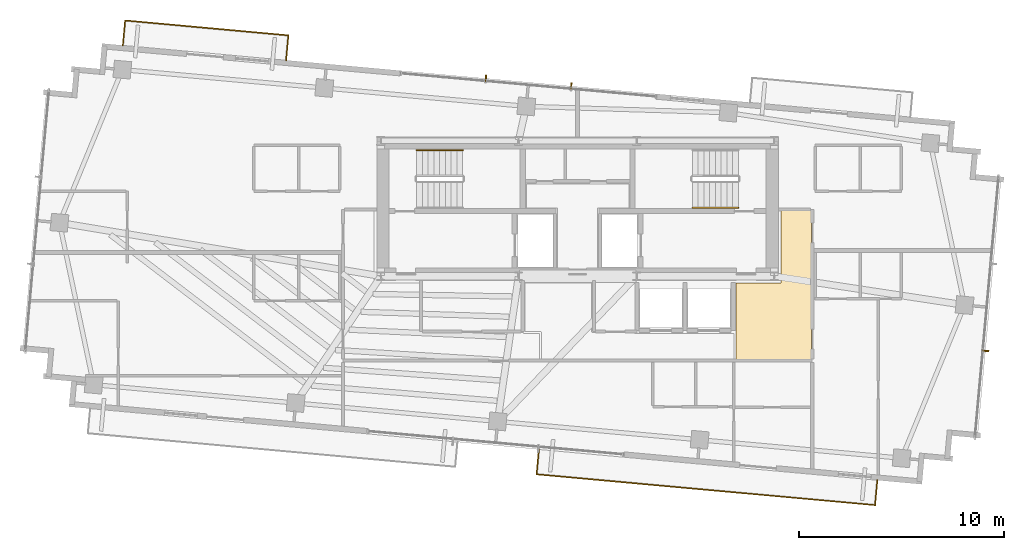
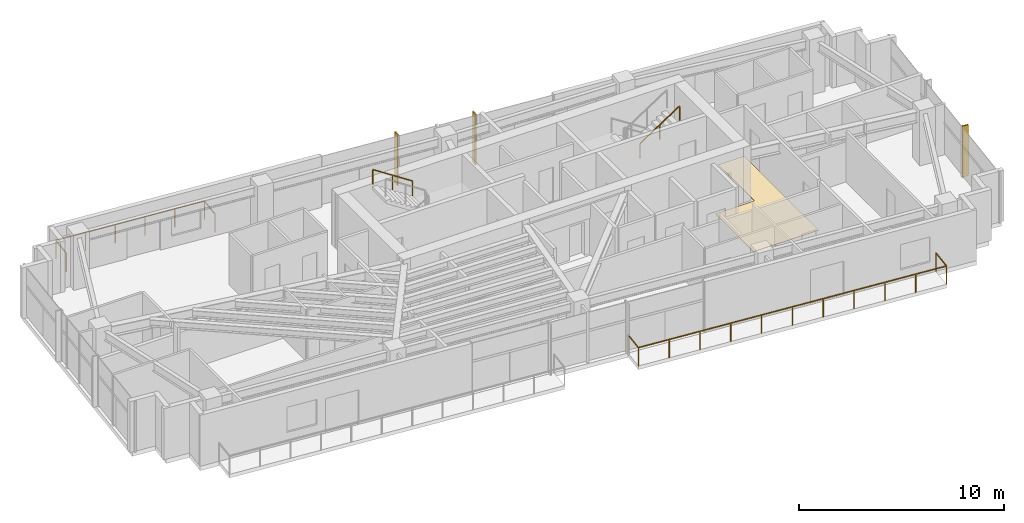
# One storey, part 21 of 22: 4 railings, 3 shading devices, 1 covering.
"""IFC4 building model written with IfcOpenShell, lengths in metres."""

from ifc_helpers import new_model, si_unit, direction, frame, origin, origin_2d, place, context, subcontext, project, spatial, polyline, rectangle, outline, extrude, source, transform, mapped, material, layer, layer_set, type_object, type_shapes, element, save


model = new_model("IFC4")

# Units and contexts
model_context = context("Model", 3, precision=1e-05, world=origin(), true_north=direction((0.0, 1.0)))
body_context = subcontext(model_context, "Body", "Model", "MODEL_VIEW")
ifc_project = project(units=[si_unit("LENGTHUNIT", "METRE"), si_unit("AREAUNIT", "SQUARE_METRE"), si_unit("VOLUMEUNIT", "CUBIC_METRE"), si_unit("PLANEANGLEUNIT", "RADIAN"), si_unit("MASSUNIT", "GRAM", prefix="KILO")], contexts=[model_context])

# Site, building, storey
site_placement = place(None, origin())
site = spatial("IfcSite", under=ifc_project, at=site_placement, CompositionType="ELEMENT")
building_placement = place(site_placement, origin())
building = spatial("IfcBuilding", under=site, at=building_placement, Name="Astriad Promenade Condominiums", CompositionType="ELEMENT")
storey_placement = place(building_placement, frame((0.0, 0.0, 249.60009765625)))
storey = spatial("IfcBuildingStorey", under=building, at=storey_placement, Name="L72", CompositionType="ELEMENT", Elevation=249.60009765625)

# Covering
ifc_material_1 = material(Name="Polished Lakefront Terrazzo Flooring")
ifc_layer = layer(ifc_material_1, 0.02001953125)
ifc_layer_set = layer_set([ifc_layer], Name="Polished Lakefront Terrazzo Flooring")
covering_type = type_object("IfcCoveringType", Name="COV-FLOR-TERRAZZO-20", PredefinedType="FLOORING", material=ifc_layer_set)
covering_placement = place(storey_placement, origin())
element("IfcCovering", 1, at=covering_placement, inside=storey, type_object=covering_type, Name="FLR-L72-COR-2", PredefinedType="FLOORING", context=body_context, shape_type="SweptSolid", body=[
    extrude(outline(polyline([(43.72998046875, 14.62353515625), (43.73095703125, 14.62451171875), (43.7333984375, 14.627685546875), (43.7353515625, 14.631103515625), (43.737060546875, 14.634765625), (43.73828125, 14.638427734375), (43.7392578125, 14.64208984375), (43.73974609375, 14.64599609375), (43.739990234375, 14.64990234375), (43.739990234375, 17.06005859375), (45.89990234375, 17.06005859375), (45.90380859375, 17.060302734375), (45.90771484375, 17.060791015625), (45.91162109375, 17.061767578125), (45.915283203125, 17.06298828125), (45.9189453125, 17.064697265625), (45.922119140625, 17.066650390625), (45.92529296875, 17.069091796875), (45.92822265625, 17.07177734375), (45.930908203125, 17.07470703125), (45.933349609375, 17.077880859375), (45.935302734375, 17.0810546875), (45.93701171875, 17.084716796875), (45.938232421875, 17.08837890625), (45.939208984375, 17.09228515625), (45.939697265625, 17.09619140625), (45.93994140625, 17.10009765625), (45.93994140625, 20.610107421875), (47.409912109375, 20.610107421875), (47.409912109375, 13.320068359375), (43.72998046875, 13.320068359375), (43.72998046875, 14.62353515625)])), origin(), (0.0, 0.0, 1.0), 0.02001953125),
])

# Shading devices
ifc_material_2 = material(Name="Anodised aluminium 6063-T6 Black Fin", Category="aluminium")
shading_device_type = type_object("IfcShadingDeviceType", Name="FIN-BLACK-260", PredefinedType="USERDEFINED", material=ifc_material_2)
shared_shape_1 = source(origin(), body_context, "Body", "SweptSolid", [
    extrude(rectangle(XDim=0.06494140625, YDim=0.320068359375, at=origin_2d()), origin(), (0.0, 0.0, 1.0), 3.0400390625),
])
type_shapes(shading_device_type, [shared_shape_1])
for number, where, z_axis, x_axis, name in (
    (2, (31.526123046875, 27.062744140625, 0.0), (0.0, 0.0, 1.0), (0.995884398616, -0.090632580198, 0.0), "CW-L72-N-FIN-01"),
    (3, (35.68896484375, 26.683837890625, 0.0), (0.0, 0.0, 1.0), (0.995884398616, -0.090632580198, 0.0), "CW-L72-N-FIN-02"),
    (4, (55.920166015625, 13.753662109375, 0.0), (0.0, 0.0, 1.0), (-0.090632580198, -0.995884398616, 0.0), "CW-L72-E-FIN-02"),
):
    element("IfcShadingDevice", number, at=place(storey_placement, frame(where, z_axis=z_axis, x_axis=x_axis)), inside=storey, type_object=shading_device_type, Name=name, ObjectType="FIN", PredefinedType="USERDEFINED", context=body_context, shape_type="MappedRepresentation", body=[
        mapped(shared_shape_1, transform((0.0, 0.0, 0.0), scale=1.0)),
    ])

# Railings
ifc_material_3 = material(Name="Laminated Glass and Stainless Steel Balustrade", Category="steel")
railing_type_1 = type_object("IfcRailingType", Name="GRD-BALC-1120", PredefinedType="BALUSTRADE", material=ifc_material_3)
shared_shape_2 = source(origin(), body_context, "Body", "SweptSolid", [
    extrude(rectangle(XDim=0.048095703125, YDim=0.048095703125, at=origin_2d()), frame((0.0, 0.0, 1.09619140625), z_axis=(-0.090643994769, -0.995883359743, 0.0), x_axis=(0.995883359743, -0.090643994769, 0.0)), (0.0, 0.0, 1.0), 1.22021484375),
    extrude(rectangle(XDim=0.048095703125, YDim=0.048095703125, at=origin_2d()), frame((-0.110595703125, -1.215087890625, 1.09619140625), z_axis=(0.995885240014, -0.09062333431, 0.0), x_axis=(0.09062333431, 0.995885240014, 0.0)), (0.0, 0.0, 1.0), 16.587158203125),
    extrude(rectangle(XDim=0.048095703125, YDim=0.048095703125, at=origin_2d()), frame((16.408203125, -2.71826171875, 1.09619140625), z_axis=(0.09066206129, 0.995881715186, 0.0), x_axis=(-0.995881715186, 0.09066206129, 0.0)), (0.0, 0.0, 1.0), 1.219970703125),
    extrude(rectangle(XDim=0.0419921875, YDim=0.0419921875, at=origin_2d()), origin(), (0.0, 0.0, 1.0), 1.072021484375),
    extrude(rectangle(XDim=0.0419921875, YDim=0.0419921875, at=origin_2d()), frame((-0.110595703125, -1.215087890625, 0.0)), (0.0, 0.0, 1.0), 1.072021484375),
    extrude(rectangle(XDim=0.0419921875, YDim=0.0419921875, at=origin_2d()), frame((1.541259765625, -1.365478515625, 0.0)), (0.0, 0.0, 1.0), 1.072021484375),
    extrude(rectangle(XDim=0.0419921875, YDim=0.0419921875, at=origin_2d()), frame((3.193115234375, -1.515625, 0.0)), (0.0, 0.0, 1.0), 1.072021484375),
    extrude(rectangle(XDim=0.0419921875, YDim=0.0419921875, at=origin_2d()), frame((4.844970703125, -1.666015625, 0.0)), (0.0, 0.0, 1.0), 1.072021484375),
    extrude(rectangle(XDim=0.0419921875, YDim=0.0419921875, at=origin_2d()), frame((6.496826171875, -1.81640625, 0.0)), (0.0, 0.0, 1.0), 1.072021484375),
    extrude(rectangle(XDim=0.0419921875, YDim=0.0419921875, at=origin_2d()), frame((8.14892578125, -1.966796875, 0.0)), (0.0, 0.0, 1.0), 1.072021484375),
    extrude(rectangle(XDim=0.0419921875, YDim=0.0419921875, at=origin_2d()), frame((9.80078125, -2.116943359375, 0.0)), (0.0, 0.0, 1.0), 1.072021484375),
    extrude(rectangle(XDim=0.0419921875, YDim=0.0419921875, at=origin_2d()), frame((11.45263671875, -2.267333984375, 0.0)), (0.0, 0.0, 1.0), 1.072021484375),
    extrude(rectangle(XDim=0.0419921875, YDim=0.0419921875, at=origin_2d()), frame((13.1044921875, -2.417724609375, 0.0)), (0.0, 0.0, 1.0), 1.072021484375),
    extrude(rectangle(XDim=0.0419921875, YDim=0.0419921875, at=origin_2d()), frame((14.75634765625, -2.56787109375, 0.0)), (0.0, 0.0, 1.0), 1.072021484375),
    extrude(rectangle(XDim=0.0419921875, YDim=0.0419921875, at=origin_2d()), frame((16.408203125, -2.71826171875, 0.0)), (0.0, 0.0, 1.0), 1.072021484375),
    extrude(rectangle(XDim=0.0419921875, YDim=0.0419921875, at=origin_2d()), frame((16.518798828125, -1.50341796875, 0.0)), (0.0, 0.0, 1.0), 1.072021484375),
])
railing_1_placement = place(storey_placement, frame((34.112548828125, 8.94384765625, 0.0)))
element("IfcRailing", 5, at=railing_1_placement, inside=storey, type_object=railing_type_1, Name="GRD-BALC-L72-SE", PredefinedType="BALUSTRADE", context=body_context, shape_type="MappedRepresentation", body=[
    mapped(shared_shape_2, transform((0.0, 0.0, 0.0), scale=1.0)),
])
shared_shape_3 = source(origin(), body_context, "Body", "SweptSolid", [
    extrude(rectangle(XDim=0.048095703125, YDim=0.048095703125, at=origin_2d()), frame((0.0, 0.0, 1.09619140625), z_axis=(0.09066206129, 0.995881715186, 0.0), x_axis=(-0.995881715186, 0.09066206129, 0.0)), (0.0, 0.0, 1.0), 1.219970703125),
    extrude(rectangle(XDim=0.048095703125, YDim=0.048095703125, at=origin_2d()), frame((0.110595703125, 1.21484375, 1.09619140625), z_axis=(-0.995884948546, 0.090626537279, 0.0), x_axis=(-0.090626537279, -0.995884948546, 0.0)), (0.0, 0.0, 1.0), 8.0009765625),
    extrude(rectangle(XDim=0.048095703125, YDim=0.048095703125, at=origin_2d()), frame((-7.857421875, 1.93994140625, 1.09619140625), z_axis=(-0.090463563939, -0.99589976584, 0.0), x_axis=(0.99589976584, -0.090463563939, 0.0)), (0.0, 0.0, 1.0), 1.2197265625),
    extrude(rectangle(XDim=0.0419921875, YDim=0.0419921875, at=origin_2d()), origin(), (0.0, 0.0, 1.0), 1.072021484375),
    extrude(rectangle(XDim=0.0419921875, YDim=0.0419921875, at=origin_2d()), frame((0.110595703125, 1.21484375, 0.0)), (0.0, 0.0, 1.0), 1.072021484375),
    extrude(rectangle(XDim=0.0419921875, YDim=0.0419921875, at=origin_2d()), frame((-1.48291015625, 1.35986328125, 0.0)), (0.0, 0.0, 1.0), 1.072021484375),
    extrude(rectangle(XDim=0.0419921875, YDim=0.0419921875, at=origin_2d()), frame((-3.07666015625, 1.5048828125, 0.0)), (0.0, 0.0, 1.0), 1.072021484375),
    extrude(rectangle(XDim=0.0419921875, YDim=0.0419921875, at=origin_2d()), frame((-4.670166015625, 1.64990234375, 0.0)), (0.0, 0.0, 1.0), 1.072021484375),
    extrude(rectangle(XDim=0.0419921875, YDim=0.0419921875, at=origin_2d()), frame((-6.263916015625, 1.794921875, 0.0)), (0.0, 0.0, 1.0), 1.072021484375),
    extrude(rectangle(XDim=0.0419921875, YDim=0.0419921875, at=origin_2d()), frame((-7.857421875, 1.93994140625, 0.0)), (0.0, 0.0, 1.0), 1.072021484375),
    extrude(rectangle(XDim=0.0419921875, YDim=0.0419921875, at=origin_2d()), frame((-7.9677734375, 0.72509765625, 0.0)), (0.0, 0.0, 1.0), 1.072021484375),
])
type_shapes(railing_type_1, [shared_shape_2, shared_shape_3])
railing_2_placement = place(storey_placement, frame((21.775390625, 27.940185546875, 0.0)))
element("IfcRailing", 6, at=railing_2_placement, inside=storey, type_object=railing_type_1, Name="GRD-BALC-L72-NW", PredefinedType="BALUSTRADE", context=body_context, shape_type="MappedRepresentation", body=[
    mapped(shared_shape_3, transform((0.0, 0.0, 0.0), scale=1.0)),
])
ifc_material_4 = material(Name="Brushed Stainless Steel Handrail", Category="steel")
railing_type_2 = type_object("IfcRailingType", Name="HRL-STAIR-920", PredefinedType="HANDRAIL", material=ifc_material_4)
shared_shape_4 = source(origin(), body_context, "Body", "SweptSolid", [
    extrude(rectangle(XDim=0.048095703125, YDim=0.048095703125, at=origin_2d()), frame((0.0, 0.0, 0.8759765625), z_axis=(0.836636935527, 0.0, 0.547757827979), x_axis=(0.0, 1.0, 0.0)), (0.0, 0.0, 1.0), 2.677490234375),
    extrude(rectangle(XDim=0.0419921875, YDim=0.0419921875, at=origin_2d()), origin(), (0.0, 0.0, 1.0), 0.851806640625),
    extrude(rectangle(XDim=0.0419921875, YDim=0.0419921875, at=origin_2d()), frame((1.1201171875, 0.0, 0.7333984375)), (0.0, 0.0, 1.0), 0.851806640625),
    extrude(rectangle(XDim=0.0419921875, YDim=0.0419921875, at=origin_2d()), frame((2.239990234375, 0.0, 1.466552734375)), (0.0, 0.0, 1.0), 0.851806640625),
])
railing_3_placement = place(storey_placement, frame((41.610107421875, 20.75, 1.833251953125)))
element("IfcRailing", 7, at=railing_3_placement, inside=storey, type_object=railing_type_2, Name="L72 ST-2 stair handrail 2", PredefinedType="HANDRAIL", context=body_context, shape_type="MappedRepresentation", body=[
    mapped(shared_shape_4, transform((0.0, 0.0, 0.0), scale=1.0)),
])
shared_shape_5 = source(origin(), body_context, "Body", "SweptSolid", [
    extrude(rectangle(XDim=0.048095703125, YDim=0.048095703125, at=origin_2d()), frame((0.0, 0.0, 0.8759765625), z_axis=(-0.836636935527, 0.0, 0.547757827979), x_axis=(0.0, -1.0, 0.0)), (0.0, 0.0, 1.0), 2.677490234375),
    extrude(rectangle(XDim=0.0419921875, YDim=0.0419921875, at=origin_2d()), origin(), (0.0, 0.0, 1.0), 0.851806640625),
    extrude(rectangle(XDim=0.0419921875, YDim=0.0419921875, at=origin_2d()), frame((-1.1201171875, 0.0, 0.7333984375)), (0.0, 0.0, 1.0), 0.851806640625),
    extrude(rectangle(XDim=0.0419921875, YDim=0.0419921875, at=origin_2d()), frame((-2.239990234375, 0.0, 1.466552734375)), (0.0, 0.0, 1.0), 0.851806640625),
])
type_shapes(railing_type_2, [shared_shape_4, shared_shape_5])
railing_4_placement = place(storey_placement, frame((30.389892578125, 23.550048828125, 1.833251953125)))
element("IfcRailing", 8, at=railing_4_placement, inside=storey, type_object=railing_type_2, Name="L72 ST-1 stair handrail 2", PredefinedType="HANDRAIL", context=body_context, shape_type="MappedRepresentation", body=[
    mapped(shared_shape_5, transform((0.0, 0.0, 0.0), scale=1.0)),
])

save(model, "model.ifc")
